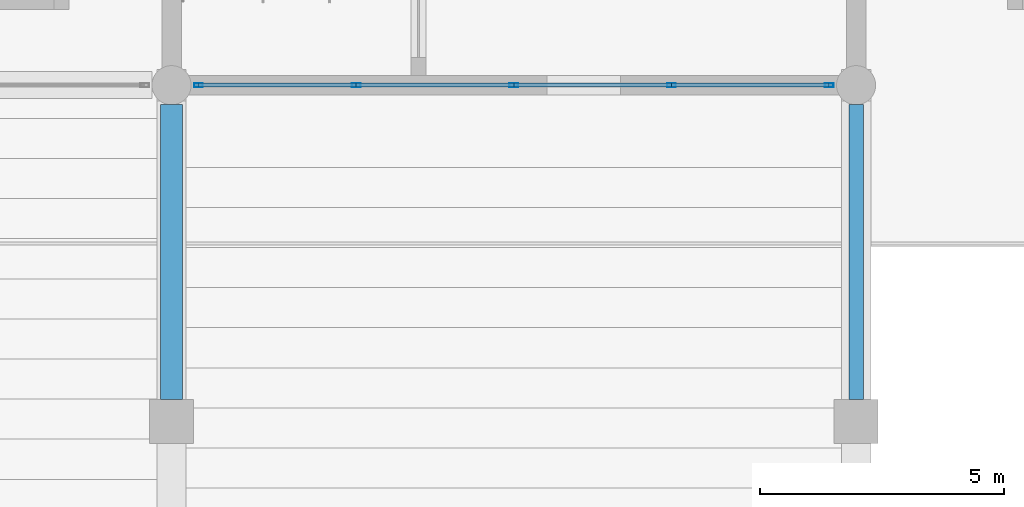
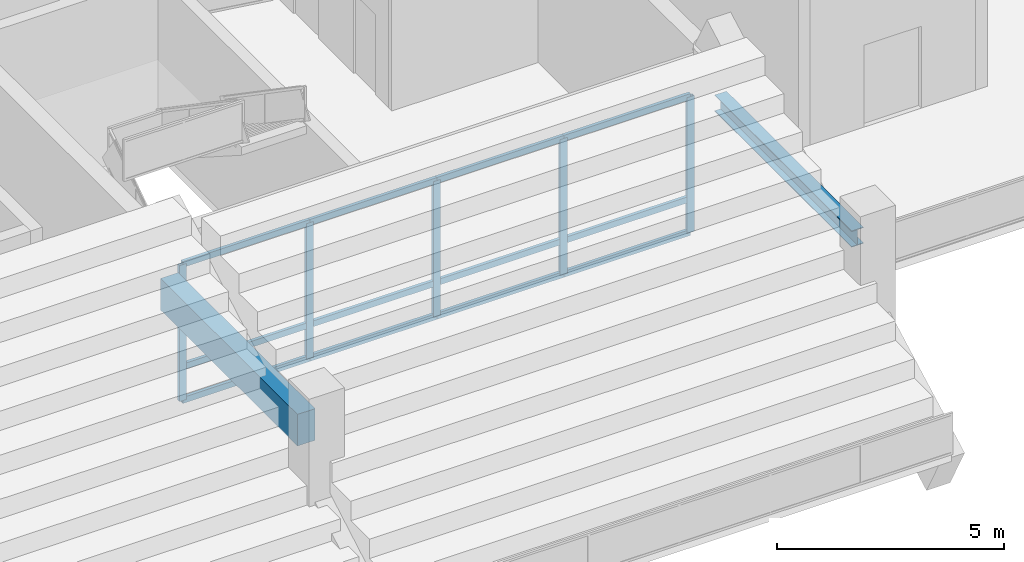
# One storey, part 52 of 94: 17 members, 2 beams, 1 element without a shape of its own.
"""IFC4 building model written with IfcOpenShell, lengths in metres."""

from ifc_helpers import new_model, si_unit, direction, frame, origin, origin_2d, place, context, subcontext, project, spatial, rectangle, hollow_rectangle, i_section, extrude, material, material_profile, profile_set, type_object, element, aggregate, save


model = new_model("IFC4")

# Units and contexts
model_context = context("Model", 3, precision=1e-05, world=origin(), true_north=direction((0.0, 1.0)))
body_context = subcontext(model_context, "Body", "Model", "MODEL_VIEW")
ifc_project = project(units=[si_unit("LENGTHUNIT", "METRE"), si_unit("AREAUNIT", "SQUARE_METRE"), si_unit("VOLUMEUNIT", "CUBIC_METRE"), si_unit("PLANEANGLEUNIT", "RADIAN"), si_unit("MASSUNIT", "GRAM", prefix="KILO")], contexts=[model_context])

# Site, building, storey
site_placement = place(None, origin())
site = spatial("IfcSite", under=ifc_project, at=site_placement, CompositionType="ELEMENT")
building_placement = place(site_placement, origin())
building = spatial("IfcBuilding", under=site, at=building_placement, Name="Linyun Crest Stadium", CompositionType="ELEMENT")
storey_placement = place(building_placement, frame((0.0, 0.0, 16.199951171875)))
storey = spatial("IfcBuildingStorey", under=building, at=storey_placement, Name="L04", CompositionType="ELEMENT", Elevation=16.199951171875)

# Beams
ifc_material_1 = material(Name="Concrete C40", Category="concrete")
ifc_material_profile_1 = material_profile(ifc_material_1, rectangle(XDim=0.449951171875, YDim=0.85009765625, at=origin_2d()), Name="RCB 850x450")
ifc_profile_set_1 = profile_set([ifc_material_profile_1], Name="Concrete C40")
beam_type_1 = type_object("IfcBeamType", Name="B04", PredefinedType="BEAM", material=ifc_profile_set_1)
beam_1_placement = place(storey_placement, frame((14.0, 85.074951171875, 3.344970703125), z_axis=(0.0, 1.0, 0.0), x_axis=(-1.0, 0.0, 0.0)))
element("IfcBeam", 1, at=beam_1_placement, inside=storey, type_object=beam_type_1, Name="Frame beam B04 L04 818", PredefinedType="BEAM", context=body_context, shape_type="SweptSolid", body=[
    extrude(rectangle(XDim=0.449951171875, YDim=0.85009765625, at=origin_2d()), origin(), (0.0, 0.0, 1.0), 6.025146484375),
])
ifc_material_2 = material(Name="Steel Q355C", Category="steel")
ifc_material_profile_2 = material_profile(ifc_material_2, i_section(OverallWidth=0.300048828125, OverallDepth=0.43994140625, WebThickness=0.010986328125, FlangeThickness=0.01806640625, at=origin_2d()), Name="HM 440x300")
ifc_profile_set_2 = profile_set([ifc_material_profile_2], Name="Steel Q355C")
beam_type_2 = type_object("IfcBeamType", Name="B07", PredefinedType="BEAM", material=ifc_profile_set_2)
beam_2_placement = place(storey_placement, frame((28.0, 85.074951171875, 3.550048828125), z_axis=(0.0, 1.0, 0.0), x_axis=(-1.0, 0.0, 0.0)))
element("IfcBeam", 2, at=beam_2_placement, inside=storey, type_object=beam_type_2, Name="Frame beam B07 L04 819", PredefinedType="BEAM", context=body_context, shape_type="SweptSolid", body=[
    extrude(i_section(OverallWidth=0.300048828125, OverallDepth=0.43994140625, WebThickness=0.010986328125, FlangeThickness=0.01806640625, at=origin_2d()), origin(), (0.0, 0.0, 1.0), 6.025146484375),
])

# Curtain wall, members
ifc_material_3 = material(Name="Verdigris steel and low-E curtain wall assembly", Category="steel")
curtain_wall_type = type_object("IfcCurtainWallType", Name="MCW01", PredefinedType="NOTDEFINED", material=ifc_material_3)
curtain_wall_placement = place(storey_placement, origin())
curtain_wall = element("IfcCurtainWall", 3, at=curtain_wall_placement, inside=storey, type_object=curtain_wall_type, Name="CWR-150", PredefinedType="NOTDEFINED")
ifc_material_4 = material(Name="Verdigris painted steel Q355B mullion", Category="steel")
ifc_material_profile_3 = material_profile(ifc_material_4, hollow_rectangle(XDim=0.080078125, YDim=0.179931640625, WallThickness=0.006103515625, at=origin_2d()), Name="RHS 180x80x6")
ifc_profile_set_3 = profile_set([ifc_material_profile_3], Name="Verdigris painted steel Q355B mullion")
member_type_1 = type_object("IfcMemberType", Name="ML02", PredefinedType="MULLION", material=ifc_profile_set_3)
member_1_placement = place(storey_placement, frame((14.550048828125, 91.5, 0.0), z_axis=(0.0, 0.0, 1.0), x_axis=(0.0, 1.0, 0.0)))
member_1 = element("IfcMember", 4, at=member_1_placement, type_object=member_type_1, Name="CWR-150 mullion 1", PredefinedType="MULLION", context=body_context, shape_type="SweptSolid", body=[
    extrude(hollow_rectangle(XDim=0.080078125, YDim=0.179931640625, WallThickness=0.006103515625, at=origin_2d()), origin(), (0.0, 0.0, 1.0), 3.650146484375),
])
member_2_placement = place(storey_placement, frame((17.77490234375, 91.5, 0.0), z_axis=(0.0, 0.0, 1.0), x_axis=(0.0, 1.0, 0.0)))
member_2 = element("IfcMember", 5, at=member_2_placement, type_object=member_type_1, Name="CWR-150 mullion 2", PredefinedType="MULLION", context=body_context, shape_type="SweptSolid", body=[
    extrude(hollow_rectangle(XDim=0.080078125, YDim=0.179931640625, WallThickness=0.006103515625, at=origin_2d()), origin(), (0.0, 0.0, 1.0), 3.650146484375),
])
member_3_placement = place(storey_placement, frame((21.0, 91.5, 0.0), z_axis=(0.0, 0.0, 1.0), x_axis=(0.0, 1.0, 0.0)))
member_3 = element("IfcMember", 6, at=member_3_placement, type_object=member_type_1, Name="CWR-150 mullion 3", PredefinedType="MULLION", context=body_context, shape_type="SweptSolid", body=[
    extrude(hollow_rectangle(XDim=0.080078125, YDim=0.179931640625, WallThickness=0.006103515625, at=origin_2d()), origin(), (0.0, 0.0, 1.0), 3.650146484375),
])
member_4_placement = place(storey_placement, frame((24.22509765625, 91.5, 0.0), z_axis=(0.0, 0.0, 1.0), x_axis=(0.0, 1.0, 0.0)))
member_4 = element("IfcMember", 7, at=member_4_placement, type_object=member_type_1, Name="CWR-150 mullion 4", PredefinedType="MULLION", context=body_context, shape_type="SweptSolid", body=[
    extrude(hollow_rectangle(XDim=0.080078125, YDim=0.179931640625, WallThickness=0.006103515625, at=origin_2d()), origin(), (0.0, 0.0, 1.0), 3.650146484375),
])
member_5_placement = place(storey_placement, frame((27.449951171875, 91.5, 0.0), z_axis=(0.0, 0.0, 1.0), x_axis=(0.0, 1.0, 0.0)))
member_5 = element("IfcMember", 8, at=member_5_placement, type_object=member_type_1, Name="CWR-150 mullion 5", PredefinedType="MULLION", context=body_context, shape_type="SweptSolid", body=[
    extrude(hollow_rectangle(XDim=0.080078125, YDim=0.179931640625, WallThickness=0.006103515625, at=origin_2d()), origin(), (0.0, 0.0, 1.0), 3.650146484375),
])
ifc_material_5 = material(Name="Aluminium thermally broken transom", Category="aluminium")
ifc_material_profile_4 = material_profile(ifc_material_5, hollow_rectangle(XDim=0.080078125, YDim=0.159912109375, WallThickness=0.006103515625, at=origin_2d()), Name="RHS 160x80x6")
ifc_profile_set_4 = profile_set([ifc_material_profile_4], Name="Aluminium thermally broken transom")
member_type_2 = type_object("IfcMemberType", Name="TR01", PredefinedType="USERDEFINED", material=ifc_profile_set_4)
member_6_placement = place(storey_placement, frame((14.550048828125, 91.5, 0.0), z_axis=(1.0, 0.0, 0.0), x_axis=(0.0, 1.0, 0.0)))
member_6 = element("IfcMember", 9, at=member_6_placement, type_object=member_type_2, Name="CWR-150 transom 1.1", ObjectType="TRANSOM", PredefinedType="USERDEFINED", context=body_context, shape_type="SweptSolid", body=[
    extrude(hollow_rectangle(XDim=0.080078125, YDim=0.159912109375, WallThickness=0.006103515625, at=origin_2d()), origin(), (0.0, 0.0, 1.0), 3.224853515625),
])
member_7_placement = place(storey_placement, frame((14.550048828125, 91.5, 0.900146484375), z_axis=(1.0, 0.0, 0.0), x_axis=(0.0, 1.0, 0.0)))
member_7 = element("IfcMember", 10, at=member_7_placement, type_object=member_type_2, Name="CWR-150 transom 1.2", ObjectType="TRANSOM", PredefinedType="USERDEFINED", context=body_context, shape_type="SweptSolid", body=[
    extrude(hollow_rectangle(XDim=0.080078125, YDim=0.159912109375, WallThickness=0.006103515625, at=origin_2d()), origin(), (0.0, 0.0, 1.0), 3.224853515625),
])
member_8_placement = place(storey_placement, frame((14.550048828125, 91.5, 3.650146484375), z_axis=(1.0, 0.0, 0.0), x_axis=(0.0, 1.0, 0.0)))
member_8 = element("IfcMember", 11, at=member_8_placement, type_object=member_type_2, Name="CWR-150 transom 1.3", ObjectType="TRANSOM", PredefinedType="USERDEFINED", context=body_context, shape_type="SweptSolid", body=[
    extrude(hollow_rectangle(XDim=0.080078125, YDim=0.159912109375, WallThickness=0.006103515625, at=origin_2d()), origin(), (0.0, 0.0, 1.0), 3.224853515625),
])
member_9_placement = place(storey_placement, frame((17.77490234375, 91.5, 0.0), z_axis=(1.0, 0.0, 0.0), x_axis=(0.0, 1.0, 0.0)))
member_9 = element("IfcMember", 12, at=member_9_placement, type_object=member_type_2, Name="CWR-150 transom 2.1", ObjectType="TRANSOM", PredefinedType="USERDEFINED", context=body_context, shape_type="SweptSolid", body=[
    extrude(hollow_rectangle(XDim=0.080078125, YDim=0.159912109375, WallThickness=0.006103515625, at=origin_2d()), origin(), (0.0, 0.0, 1.0), 3.22509765625),
])
member_10_placement = place(storey_placement, frame((17.77490234375, 91.5, 0.900146484375), z_axis=(1.0, 0.0, 0.0), x_axis=(0.0, 1.0, 0.0)))
member_10 = element("IfcMember", 13, at=member_10_placement, type_object=member_type_2, Name="CWR-150 transom 2.2", ObjectType="TRANSOM", PredefinedType="USERDEFINED", context=body_context, shape_type="SweptSolid", body=[
    extrude(hollow_rectangle(XDim=0.080078125, YDim=0.159912109375, WallThickness=0.006103515625, at=origin_2d()), origin(), (0.0, 0.0, 1.0), 3.22509765625),
])
member_11_placement = place(storey_placement, frame((17.77490234375, 91.5, 3.650146484375), z_axis=(1.0, 0.0, 0.0), x_axis=(0.0, 1.0, 0.0)))
member_11 = element("IfcMember", 14, at=member_11_placement, type_object=member_type_2, Name="CWR-150 transom 2.3", ObjectType="TRANSOM", PredefinedType="USERDEFINED", context=body_context, shape_type="SweptSolid", body=[
    extrude(hollow_rectangle(XDim=0.080078125, YDim=0.159912109375, WallThickness=0.006103515625, at=origin_2d()), origin(), (0.0, 0.0, 1.0), 3.22509765625),
])
member_12_placement = place(storey_placement, frame((21.0, 91.5, 0.0), z_axis=(1.0, 0.0, 0.0), x_axis=(0.0, 1.0, 0.0)))
member_12 = element("IfcMember", 15, at=member_12_placement, type_object=member_type_2, Name="CWR-150 transom 3.1", ObjectType="TRANSOM", PredefinedType="USERDEFINED", context=body_context, shape_type="SweptSolid", body=[
    extrude(hollow_rectangle(XDim=0.080078125, YDim=0.159912109375, WallThickness=0.006103515625, at=origin_2d()), origin(), (0.0, 0.0, 1.0), 3.22509765625),
])
member_13_placement = place(storey_placement, frame((21.0, 91.5, 0.900146484375), z_axis=(1.0, 0.0, 0.0), x_axis=(0.0, 1.0, 0.0)))
member_13 = element("IfcMember", 16, at=member_13_placement, type_object=member_type_2, Name="CWR-150 transom 3.2", ObjectType="TRANSOM", PredefinedType="USERDEFINED", context=body_context, shape_type="SweptSolid", body=[
    extrude(hollow_rectangle(XDim=0.080078125, YDim=0.159912109375, WallThickness=0.006103515625, at=origin_2d()), origin(), (0.0, 0.0, 1.0), 3.22509765625),
])
member_14_placement = place(storey_placement, frame((21.0, 91.5, 3.650146484375), z_axis=(1.0, 0.0, 0.0), x_axis=(0.0, 1.0, 0.0)))
member_14 = element("IfcMember", 17, at=member_14_placement, type_object=member_type_2, Name="CWR-150 transom 3.3", ObjectType="TRANSOM", PredefinedType="USERDEFINED", context=body_context, shape_type="SweptSolid", body=[
    extrude(hollow_rectangle(XDim=0.080078125, YDim=0.159912109375, WallThickness=0.006103515625, at=origin_2d()), origin(), (0.0, 0.0, 1.0), 3.22509765625),
])
member_15_placement = place(storey_placement, frame((24.22509765625, 91.5, 0.0), z_axis=(1.0, 0.0, 0.0), x_axis=(0.0, 1.0, 0.0)))
member_15 = element("IfcMember", 18, at=member_15_placement, type_object=member_type_2, Name="CWR-150 transom 4.1", ObjectType="TRANSOM", PredefinedType="USERDEFINED", context=body_context, shape_type="SweptSolid", body=[
    extrude(hollow_rectangle(XDim=0.080078125, YDim=0.159912109375, WallThickness=0.006103515625, at=origin_2d()), origin(), (0.0, 0.0, 1.0), 3.224853515625),
])
member_16_placement = place(storey_placement, frame((24.22509765625, 91.5, 0.900146484375), z_axis=(1.0, 0.0, 0.0), x_axis=(0.0, 1.0, 0.0)))
member_16 = element("IfcMember", 19, at=member_16_placement, type_object=member_type_2, Name="CWR-150 transom 4.2", ObjectType="TRANSOM", PredefinedType="USERDEFINED", context=body_context, shape_type="SweptSolid", body=[
    extrude(hollow_rectangle(XDim=0.080078125, YDim=0.159912109375, WallThickness=0.006103515625, at=origin_2d()), origin(), (0.0, 0.0, 1.0), 3.224853515625),
])
member_17_placement = place(storey_placement, frame((24.22509765625, 91.5, 3.650146484375), z_axis=(1.0, 0.0, 0.0), x_axis=(0.0, 1.0, 0.0)))
member_17 = element("IfcMember", 20, at=member_17_placement, type_object=member_type_2, Name="CWR-150 transom 4.3", ObjectType="TRANSOM", PredefinedType="USERDEFINED", context=body_context, shape_type="SweptSolid", body=[
    extrude(hollow_rectangle(XDim=0.080078125, YDim=0.159912109375, WallThickness=0.006103515625, at=origin_2d()), origin(), (0.0, 0.0, 1.0), 3.224853515625),
])
aggregate(curtain_wall, [member_1, member_2, member_3, member_4, member_5, member_6, member_7, member_8, member_9, member_10, member_11, member_12, member_13, member_14, member_15, member_16, member_17])

save(model, "model.ifc")
